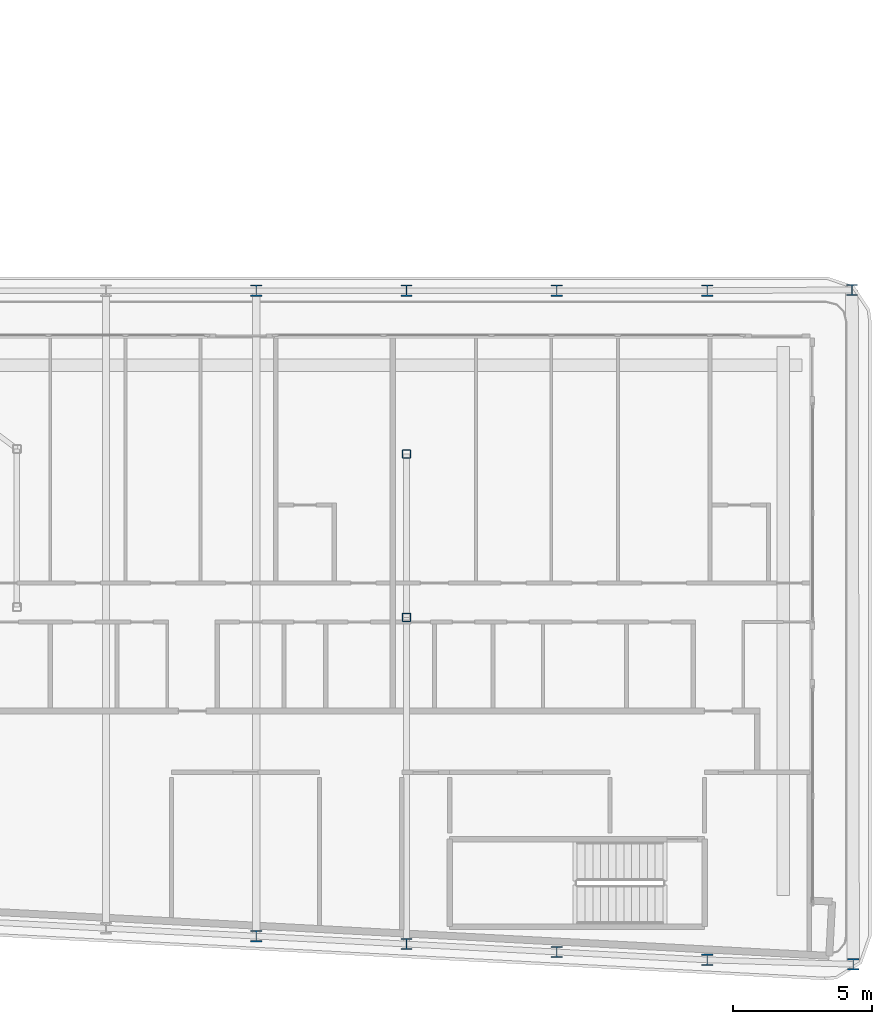
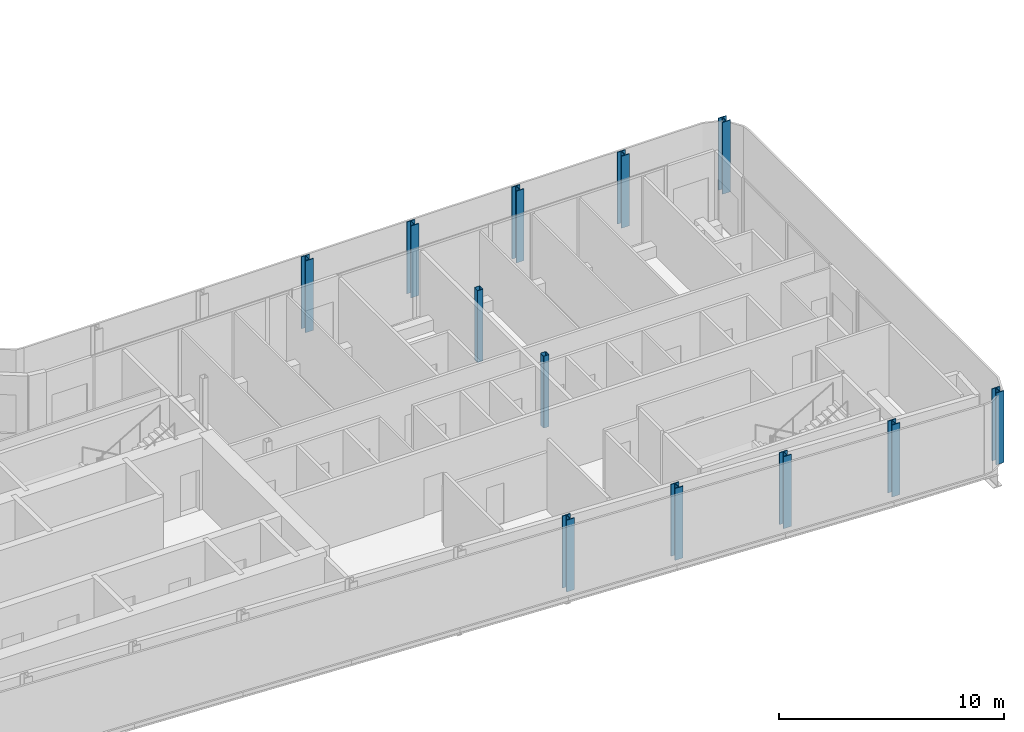
# One storey, part 2 of 23: 12 columns.
"""IFC4 building model written with IfcOpenShell, lengths in metres."""

import ifcopenshell
import ifcopenshell.guid

model = None  # the IFC model being written
_history = None  # IfcOwnerHistory: only IFC2X3 demands one
_inside = {}  # id of a spatial element -> (the spatial element, [elements in it])
_under = {}  # id of a project, library or spatial element -> (it, [spatial elements below it])
_declared = {}  # id of a project -> (the project, [libraries it declares])
_typed = {}  # id of a type object -> (the type object, [elements of that type])
_made_of = {}  # id of a material, layer set ... -> (it, [elements and type objects made of it])


def new_model(schema):
    """Start an empty IFC model of exactly this schema.

    Asked for "IFC4X3", IfcOpenShell would pick the latest addendum, in which some entities
    have other attributes; the version numbers below select the first issue.
    IFC2X3 requires an IfcOwnerHistory on every rooted entity: one is made here for all.
    """
    global model, _history
    if schema == "IFC4X3":
        model = ifcopenshell.file(schema_version=(4, 3, 0, 0))
    else:
        model = ifcopenshell.file(schema=schema)
    _inside.clear()
    _under.clear()
    _declared.clear()
    _typed.clear()
    _made_of.clear()
    _history = None
    if model.schema == "IFC2X3":
        org = make("IfcOrganization", Name="unknown")
        user = make(
            "IfcPersonAndOrganization",
            ThePerson=make("IfcPerson", FamilyName="unknown"),
            TheOrganization=org,
        )
        app = make(
            "IfcApplication",
            ApplicationDeveloper=org,
            Version="unknown",
            ApplicationFullName="unknown",
            ApplicationIdentifier="unknown",
        )
        _history = make(
            "IfcOwnerHistory",
            OwningUser=user,
            OwningApplication=app,
            ChangeAction="ADDED",
            CreationDate=0,
        )
    return model


def make(cls, **values):
    """One entity of the class cls with the attributes given. An attribute that is None is left unset."""
    return model.create_entity(
        cls, **{name: value for name, value in values.items() if value is not None}
    )


def rooted(cls, **values):
    """An entity with a GlobalId (a new one), such as an element, a storey or a relation."""
    return make(cls, GlobalId=ifcopenshell.guid.new(), OwnerHistory=_history, **values)


def si_unit(unit_type, name, prefix=None):
    """IfcSIUnit, for example si_unit("LENGTHUNIT", "METRE", prefix="MILLI")."""
    return make("IfcSIUnit", UnitType=unit_type, Prefix=prefix, Name=name)


def assignment(units):
    """IfcUnitAssignment: the units of a project."""
    return None if units is None else make("IfcUnitAssignment", Units=units)


def point(xyz):
    """IfcCartesianPoint."""
    return None if xyz is None else make("IfcCartesianPoint", Coordinates=xyz)


def direction(xyz):
    """IfcDirection."""
    return None if xyz is None else make("IfcDirection", DirectionRatios=xyz)


def frame(location, z_axis=None, x_axis=None):
    """IfcAxis2Placement3D, a coordinate frame: its origin and axes. An axis left out is left unset."""
    return make(
        "IfcAxis2Placement3D",
        Location=point(location),
        Axis=direction(z_axis),
        RefDirection=direction(x_axis),
    )


def frame_2d(location, x_axis=None):
    """IfcAxis2Placement2D, a coordinate frame in the plane: its origin and x axis."""
    return make(
        "IfcAxis2Placement2D", Location=point(location), RefDirection=direction(x_axis)
    )


def origin():
    """The frame at (0, 0, 0) with its axes left unset."""
    return frame((0.0, 0.0, 0.0))


def origin_2d():
    """The frame at (0, 0) in the plane with its x axis left unset."""
    return frame_2d((0.0, 0.0))


def place(relative_to, where):
    """IfcLocalPlacement: puts the frame where relative to a parent placement (None: the world)."""
    return make(
        "IfcLocalPlacement", PlacementRelTo=relative_to, RelativePlacement=where
    )


def context(
    kind, dimensions, precision=None, world=None, true_north=None, identifier=None
):
    """IfcGeometricRepresentationContext, for example the 3D "Model" context."""
    return make(
        "IfcGeometricRepresentationContext",
        ContextIdentifier=identifier,
        ContextType=kind,
        CoordinateSpaceDimension=dimensions,
        Precision=precision,
        WorldCoordinateSystem=world,
        TrueNorth=true_north,
    )


def subcontext(parent, identifier, kind, view, scale=None):
    """IfcGeometricRepresentationSubContext, for example "Body" below "Model"."""
    return make(
        "IfcGeometricRepresentationSubContext",
        ContextIdentifier=identifier,
        ContextType=kind,
        ParentContext=parent,
        TargetScale=scale,
        TargetView=view,
    )


def project(units=None, contexts=None):
    """IfcProject with its units and contexts."""
    return rooted(
        "IfcProject",
        Name="project",
        RepresentationContexts=contexts,
        UnitsInContext=assignment(units),
    )


def spatial(cls, under=None, at=None, **own):
    """A site, building, storey or space (cls), placed at a placement, below another one or the project."""
    s = rooted(cls, ObjectPlacement=at, **own)
    if under is not None:
        _under.setdefault(under.id(), (under, []))[1].append(s)
    return s


def profile(cls, at=None, kind="AREA", **sizes):
    """A parametric profile (cls). Its sizes go by their IFC names, for example OverallWidth=200.0."""
    return make(cls, ProfileType=kind, Position=at, **sizes)


def hollow_rectangle(**sizes):
    """IfcRectangleHollowProfileDef."""
    return profile("IfcRectangleHollowProfileDef", **sizes)


def i_section(**sizes):
    """IfcIShapeProfileDef."""
    return profile("IfcIShapeProfileDef", **sizes)


def extrude(swept, where, along, depth):
    """IfcExtrudedAreaSolid: the profile swept, set in the frame where, extruded along a direction by depth."""
    return make(
        "IfcExtrudedAreaSolid",
        SweptArea=swept,
        Position=where,
        ExtrudedDirection=direction(along),
        Depth=depth,
    )


def shape(context_of_items, identifier, shape_type, items):
    """IfcShapeRepresentation: the items that make up one representation, for example the "Body"."""
    return make(
        "IfcShapeRepresentation",
        ContextOfItems=context_of_items,
        RepresentationIdentifier=identifier,
        RepresentationType=shape_type,
        Items=items,
    )


def material(Name=None, Category=None):
    """IfcMaterial."""
    return make("IfcMaterial", Name=Name, Category=Category)


def material_profile(
    of_material, cross_section, Name=None, Category=None, Priority=None
):
    """IfcMaterialProfile: a cross section and its material."""
    return make(
        "IfcMaterialProfile",
        Name=Name,
        Material=of_material,
        Profile=cross_section,
        Priority=Priority,
        Category=Category,
    )


def profile_set(profiles, Name=None, composite=None):
    """IfcMaterialProfileSet."""
    return make(
        "IfcMaterialProfileSet",
        Name=Name,
        MaterialProfiles=profiles,
        CompositeProfile=composite,
    )


def made_of(thing, what):
    """Note that an element or type object is made of a material, layer set ...; save() writes the relation."""
    if what is not None:
        _made_of.setdefault(what.id(), (what, []))[1].append(thing)
    return thing


def type_object(cls, material=None, **own):
    """A type object (cls), such as IfcWallType, which elements share."""
    return made_of(rooted(cls, **own), material)


def element(
    cls,
    number,
    at=None,
    inside=None,
    cuts=None,
    type_object=None,
    material=None,
    context=None,
    identifier="Body",
    shape_type=None,
    held_by="IfcProductDefinitionShape",
    body=None,
    shapes=None,
    **own,
):
    """One element of the class cls, such as IfcWall. Its Tag is "e" and its number.

    at: its placement. inside: the storey or other place that contains it. cuts: it is an
    opening in that element (IfcRelVoidsElement). A single representation is given by context,
    identifier, shape_type and body (its items); several are given by shapes. held_by: the class
    of the entity that holds the representations. save() writes the other relations.
    """
    e = rooted(cls, Tag="e%d" % number, ObjectPlacement=at, **own)
    if body is not None:
        shapes = [shape(context, identifier, shape_type, body)]
    if shapes is not None:
        e.Representation = make(held_by, Representations=shapes)
    if inside is not None:
        _inside.setdefault(inside.id(), (inside, []))[1].append(e)
    if cuts is not None:
        rooted(
            "IfcRelVoidsElement", RelatingBuildingElement=cuts, RelatedOpeningElement=e
        )
    if type_object is not None:
        _typed.setdefault(type_object.id(), (type_object, []))[1].append(e)
    return made_of(e, material)


def aggregate(whole, parts):
    """IfcRelAggregates: a whole, such as a stair, and the parts it consists of."""
    return rooted("IfcRelAggregates", RelatingObject=whole, RelatedObjects=parts)


def save(model, path):
    """Write the relations noted so far, then the file.

    IfcRelAggregates (storeys below a building ...), IfcRelContainedInSpatialStructure (elements
    in a storey), IfcRelDefinesByType, IfcRelAssociatesMaterial and IfcRelDeclares: one each for
    every whole, place, type object, material and project.
    """
    for whole, parts in _under.values():
        aggregate(whole, parts)
    for where, things in _inside.values():
        rooted(
            "IfcRelContainedInSpatialStructure",
            RelatedElements=things,
            RelatingStructure=where,
        )
    for kind, things in _typed.values():
        rooted("IfcRelDefinesByType", RelatedObjects=things, RelatingType=kind)
    for what, things in _made_of.values():
        rooted("IfcRelAssociatesMaterial", RelatedObjects=things, RelatingMaterial=what)
    for by, libraries in _declared.values():
        rooted("IfcRelDeclares", RelatingContext=by, RelatedDefinitions=libraries)
    model.write(path)


model = new_model("IFC4")

# Units and contexts
model_context = context("Model", 3, precision=1e-05, world=origin(), true_north=direction((0.0, 1.0)))
body_context = subcontext(model_context, "Body", "Model", "MODEL_VIEW")
ifc_project = project(units=[si_unit("LENGTHUNIT", "METRE"), si_unit("AREAUNIT", "SQUARE_METRE"), si_unit("VOLUMEUNIT", "CUBIC_METRE"), si_unit("PLANEANGLEUNIT", "RADIAN"), si_unit("MASSUNIT", "GRAM", prefix="KILO")], contexts=[model_context])

# Site, building, storey
site_placement = place(None, origin())
site = spatial("IfcSite", under=ifc_project, at=site_placement, CompositionType="ELEMENT")
building_placement = place(site_placement, origin())
building = spatial("IfcBuilding", under=site, at=building_placement, Name="Kheshtan School and Residences Tower", CompositionType="ELEMENT")
storey_placement = place(building_placement, frame((0.0, 0.0, 243.5)))
storey = spatial("IfcBuildingStorey", under=building, at=storey_placement, Name="L57", CompositionType="ELEMENT", Elevation=243.5)

# Columns
ifc_material_1 = material(Name="Steel ASTM A992 Grade 50", Category="steel")
ifc_material_profile_1 = material_profile(ifc_material_1, i_section(OverallWidth=0.404052734375, OverallDepth=0.406982421875, WebThickness=0.027099609375, FlangeThickness=0.043701171875, FilletRadius=0.01220703125, at=origin_2d()), Name="W360x347")
ifc_profile_set_1 = profile_set([ifc_material_profile_1], Name="Steel ASTM A992 Grade 50")
column_type_1 = type_object("IfcColumnType", Name="Column C4 W360x347 ASTM A992 Grade 50", PredefinedType="COLUMN", material=ifc_profile_set_1)
for number, where, z_axis, x_axis, name in (
    (1, (85.243896484375, 21.39990234375, 0.0), (0.0, 0.0, 1.0), (1.0, 0.0, 0.0), "Column C011"),
    (2, (80.0, 21.55810546875, 0.0), (0.0, 0.0, 1.0), (1.0, 0.0, 0.0), "Column C012"),
    (3, (74.60009765625, 21.843017578125, 0.0), (0.0, 0.0, 1.0), (1.0, 0.0, 0.0), "Column C013"),
    (4, (69.199951171875, 22.126953125, 0.0), (0.0, 0.0, 1.0), (1.0, 0.0, 0.0), "Column C014"),
    (5, (63.800048828125, 22.410888671875, 0.0), (0.0, 0.0, 1.0), (1.0, 0.0, 0.0), "Column C016"),
    (6, (63.800048828125, 45.60009765625, 0.0), (0.0, 0.0, 1.0), (1.0, 0.0, 0.0), "Column C063"),
    (7, (69.199951171875, 45.60009765625, 0.0), (0.0, 0.0, 1.0), (1.0, 0.0, 0.0), "Column C064"),
    (8, (74.60009765625, 45.60009765625, 0.0), (0.0, 0.0, 1.0), (1.0, 0.0, 0.0), "Column C065"),
    (9, (80.0, 45.60009765625, 0.0), (0.0, 0.0, 1.0), (1.0, 0.0, 0.0), "Column C066"),
    (10, (85.201904296875, 45.6279296875, 0.0), (0.0, 0.0, 1.0), (1.0, 0.0, 0.0), "Column C076"),
):
    element("IfcColumn", number, at=place(storey_placement, frame(where, z_axis=z_axis, x_axis=x_axis)), inside=storey, type_object=column_type_1, Name=name, PredefinedType="COLUMN", context=body_context, shape_type="SweptSolid", body=[
        extrude(i_section(OverallWidth=0.404052734375, OverallDepth=0.406982421875, WebThickness=0.027099609375, FlangeThickness=0.043701171875, FilletRadius=0.01220703125, at=origin_2d()), origin(), (0.0, 0.0, 1.0), 3.89990234375),
    ])
ifc_material_2 = material(Name="Steel ASTM A500 Grade C", Category="steel")
ifc_material_profile_2 = material_profile(ifc_material_2, hollow_rectangle(XDim=0.304931640625, YDim=0.304931640625, WallThickness=0.015869140625, InnerFilletRadius=0.015869140625, OuterFilletRadius=0.03173828125, at=origin_2d()), Name="HSS 305x305x15.9")
ifc_profile_set_2 = profile_set([ifc_material_profile_2], Name="Steel ASTM A500 Grade C")
column_type_2 = type_object("IfcColumnType", Name="Column IC2 HSS 305x305x15.9 ASTM A500 Grade C", PredefinedType="COLUMN", material=ifc_profile_set_2)
for number, where, z_axis, x_axis, name in (
    (11, (69.199951171875, 33.863037109375, 0.0), (0.0, 0.0, 1.0), (1.0, 0.0, 0.0), "Column C050"),
    (12, (69.199951171875, 39.73193359375, 0.0), (0.0, 0.0, 1.0), (1.0, 0.0, 0.0), "Column C054"),
):
    element("IfcColumn", number, at=place(storey_placement, frame(where, z_axis=z_axis, x_axis=x_axis)), inside=storey, type_object=column_type_2, Name=name, PredefinedType="COLUMN", context=body_context, shape_type="SweptSolid", body=[
        extrude(hollow_rectangle(XDim=0.304931640625, YDim=0.304931640625, WallThickness=0.015869140625, InnerFilletRadius=0.015869140625, OuterFilletRadius=0.03173828125, at=origin_2d()), origin(), (0.0, 0.0, 1.0), 3.89990234375),
    ])

save(model, "model.ifc")
